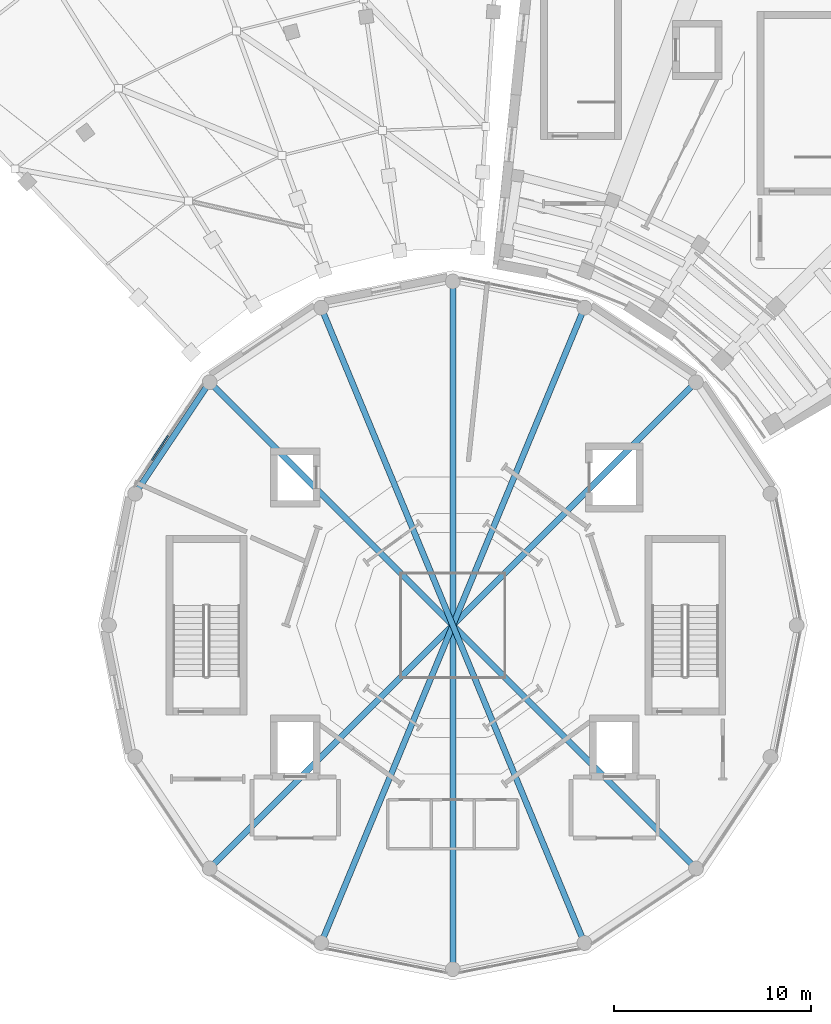
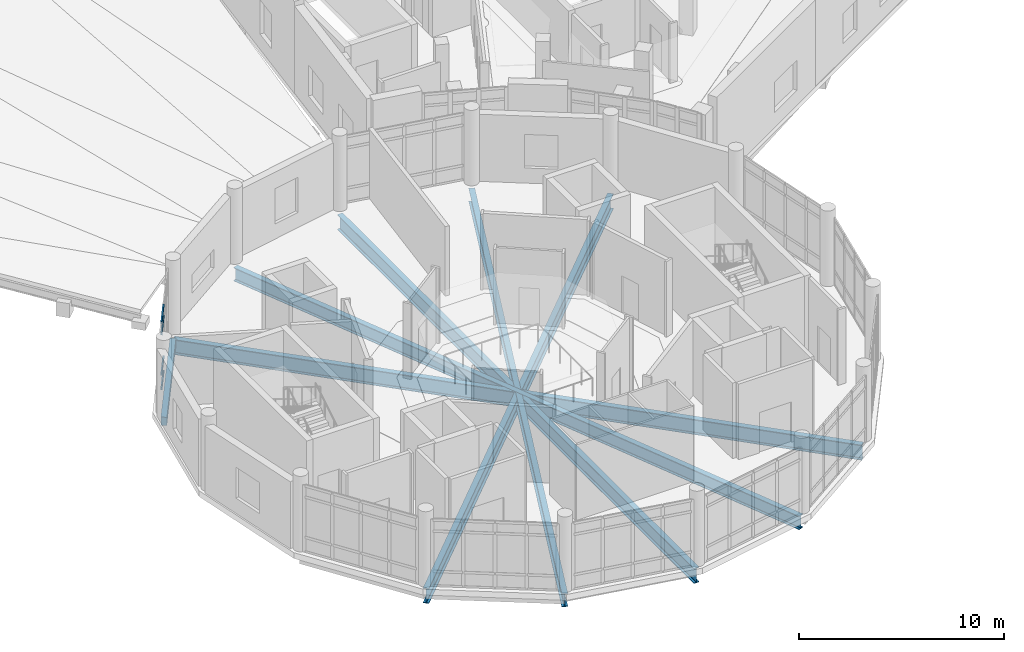
# One storey, part 7 of 27: 6 beams, 4 members, 1 element without a shape of its own.
"""IFC4 building model written with IfcOpenShell, lengths in metres."""

from ifc_helpers import new_model, si_unit, direction, frame, origin, origin_2d, place, context, subcontext, project, spatial, rectangle, i_section, extrude, material, material_profile, profile_set, type_object, element, aggregate, save


model = new_model("IFC4")

# Units and contexts
model_context = context("Model", 3, precision=1e-05, world=origin(), true_north=direction((0.0, 1.0)))
body_context = subcontext(model_context, "Body", "Model", "MODEL_VIEW")
ifc_project = project(units=[si_unit("LENGTHUNIT", "METRE"), si_unit("AREAUNIT", "SQUARE_METRE"), si_unit("VOLUMEUNIT", "CUBIC_METRE"), si_unit("PLANEANGLEUNIT", "RADIAN"), si_unit("MASSUNIT", "GRAM", prefix="KILO")], contexts=[model_context])

# Site, building, storey
site_placement = place(None, origin())
site = spatial("IfcSite", under=ifc_project, at=site_placement, CompositionType="ELEMENT")
building_placement = place(site_placement, origin())
building = spatial("IfcBuilding", under=site, at=building_placement, Name="Soyqirgoq Riverine Aquarium", CompositionType="ELEMENT")
storey_placement = place(building_placement, frame((0.0, 0.0, 19.800048828125)))
storey = spatial("IfcBuildingStorey", under=building, at=storey_placement, Name="L05", CompositionType="ELEMENT", Elevation=19.800048828125)

# Curtain wall, members
ifc_material_1 = material(Name="Anodised aluminium thermally broken triple low-E glazing", Category="aluminium")
curtain_wall_type = type_object("IfcCurtainWallType", Name="CW_DrumGallery_Unitised", PredefinedType="NOTDEFINED", material=ifc_material_1)
curtain_wall_placement = place(storey_placement, origin())
curtain_wall = element("IfcCurtainWall", 1, at=curtain_wall_placement, inside=storey, type_object=curtain_wall_type, Name="V1 L05 Curtain Wall 027", PredefinedType="NOTDEFINED")
ifc_material_2 = material(Name="Anodised aluminium 6063-T6", Category="aluminium")
ifc_material_profile_1 = material_profile(ifc_material_2, rectangle(XDim=0.074951171875, YDim=0.14990234375, at=origin_2d()), Name="ALU-T 75x150")
ifc_profile_set_1 = profile_set([ifc_material_profile_1], Name="Anodised aluminium 6063-T6")
member_type = type_object("IfcMemberType", Name="CWTransom_75x150", PredefinedType="USERDEFINED", material=ifc_profile_set_1)
member_1_placement = place(storey_placement, frame((41.547607421875, 66.61767578125, 0.037353515625), z_axis=(-0.555498052223, -0.831517837437, 0.0), x_axis=(0.831517837437, -0.555498052223, 0.0)))
member_1 = element("IfcMember", 2, at=member_1_placement, type_object=member_type, Name="CW-01 transom 3.1", ObjectType="TRANSOM", PredefinedType="USERDEFINED", context=body_context, shape_type="SweptSolid", body=[
    extrude(rectangle(XDim=0.074951171875, YDim=0.14990234375, at=origin_2d()), origin(), (0.0, 0.0, 1.0), 1.482421875),
])
member_2_placement = place(storey_placement, frame((41.547607421875, 66.61767578125, 0.89990234375), z_axis=(-0.555498052223, -0.831517837437, 0.0), x_axis=(0.831517837437, -0.555498052223, 0.0)))
member_2 = element("IfcMember", 3, at=member_2_placement, type_object=member_type, Name="CW-01 transom 3.2", ObjectType="TRANSOM", PredefinedType="USERDEFINED", context=body_context, shape_type="SweptSolid", body=[
    extrude(rectangle(XDim=0.074951171875, YDim=0.14990234375, at=origin_2d()), origin(), (0.0, 0.0, 1.0), 1.482421875),
])
member_3_placement = place(storey_placement, frame((41.547607421875, 66.61767578125, 3.300048828125), z_axis=(-0.555498052223, -0.831517837437, 0.0), x_axis=(0.831517837437, -0.555498052223, 0.0)))
member_3 = element("IfcMember", 4, at=member_3_placement, type_object=member_type, Name="CW-01 transom 3.3", ObjectType="TRANSOM", PredefinedType="USERDEFINED", context=body_context, shape_type="SweptSolid", body=[
    extrude(rectangle(XDim=0.074951171875, YDim=0.14990234375, at=origin_2d()), origin(), (0.0, 0.0, 1.0), 1.482421875),
])
member_4_placement = place(storey_placement, frame((41.547607421875, 66.61767578125, 3.96240234375), z_axis=(-0.555498052223, -0.831517837437, 0.0), x_axis=(0.831517837437, -0.555498052223, 0.0)))
member_4 = element("IfcMember", 5, at=member_4_placement, type_object=member_type, Name="CW-01 transom 3.4", ObjectType="TRANSOM", PredefinedType="USERDEFINED", context=body_context, shape_type="SweptSolid", body=[
    extrude(rectangle(XDim=0.074951171875, YDim=0.14990234375, at=origin_2d()), origin(), (0.0, 0.0, 1.0), 1.482421875),
])
aggregate(curtain_wall, [member_1, member_2, member_3, member_4])

# Beams
ifc_material_3 = material(Name="Concrete C40/50", Category="concrete")
ifc_material_profile_2 = material_profile(ifc_material_3, rectangle(XDim=0.300048828125, YDim=0.5, at=origin_2d()), Name="RC 300x500")
ifc_profile_set_2 = profile_set([ifc_material_profile_2], Name="Concrete C40/50")
beam_type_1 = type_object("IfcBeamType", Name="Spandrel_RC_300x500", PredefinedType="SPANDREL", material=ifc_profile_set_2)
beam_1_placement = place(storey_placement, frame((43.64990234375, 69.322509765625, -0.60009765625), z_axis=(-0.555557213186, -0.83147831173, 0.0), x_axis=(0.83147831173, -0.555557213186, 0.0)))
element("IfcBeam", 6, at=beam_1_placement, inside=storey, type_object=beam_type_1, Name="V1 L05 Drum Spandrel Beam 0127", PredefinedType="SPANDREL", context=body_context, shape_type="SweptSolid", body=[
    extrude(rectangle(XDim=0.300048828125, YDim=0.5, at=origin_2d()), origin(), (0.0, 0.0, 1.0), 6.768798828125),
])
ifc_material_4 = material(Name="Structural steel S355", Category="steel")
ifc_material_profile_3 = material_profile(ifc_material_4, i_section(OverallWidth=0.300048828125, OverallDepth=0.800048828125, WebThickness=0.017578125, FlangeThickness=0.032958984375, FilletRadius=0.030029296875, at=origin_2d()), Name="HEB 800")
ifc_profile_set_3 = profile_set([ifc_material_profile_3], Name="Structural steel S355")
beam_type_2 = type_object("IfcBeamType", Name="SteelGirder_HEB800", PredefinedType="BEAM", material=ifc_profile_set_3)
for number, where, z_axis, x_axis, name in (
    (7, (62.65869140625, 73.075439453125, -0.75), (-0.382684725633, -0.923878996821, 0.0), (0.923878996821, -0.382684725633, 0.0), "V1 L05 Servicing Deck Long-Span Girder 0122"),
    (8, (49.34130859375, 73.075439453125, -0.75), (0.382684725633, -0.923878996821, 0.0), (0.923878996821, 0.382684725633, 0.0), "V1 L05 Servicing Deck Long-Span Girder 0126"),
):
    element("IfcBeam", number, at=place(storey_placement, frame(where, z_axis=z_axis, x_axis=x_axis)), inside=storey, type_object=beam_type_2, Name=name, PredefinedType="BEAM", context=body_context, shape_type="SweptSolid", body=[
        extrude(i_section(OverallWidth=0.300048828125, OverallDepth=0.800048828125, WebThickness=0.017578125, FlangeThickness=0.032958984375, FilletRadius=0.030029296875, at=origin_2d()), origin(), (0.0, 0.0, 1.0), 34.7998046875),
    ])
ifc_material_5 = material(Name="Structural steel S355", Category="steel")
ifc_material_profile_4 = material_profile(ifc_material_5, i_section(OverallWidth=0.300048828125, OverallDepth=0.89990234375, WebThickness=0.0185546875, FlangeThickness=0.034912109375, FilletRadius=0.030029296875, at=origin_2d()), Name="HEB 900")
ifc_profile_set_4 = profile_set([ifc_material_profile_4], Name="Structural steel S355")
beam_type_3 = type_object("IfcBeamType", Name="SteelGirder_HEB900", PredefinedType="BEAM", material=ifc_profile_set_4)
beam_2_placement = place(storey_placement, frame((68.3037109375, 69.3037109375, -0.800048828125), z_axis=(-0.707106781187, -0.707106781187, 0.0), x_axis=(0.707106781187, -0.707106781187, 0.0)))
element("IfcBeam", 9, at=beam_2_placement, inside=storey, type_object=beam_type_3, Name="V1 L05 Servicing Deck Long-Span Girder 0120", PredefinedType="BEAM", context=body_context, shape_type="SweptSolid", body=[
    extrude(i_section(OverallWidth=0.300048828125, OverallDepth=0.89990234375, WebThickness=0.0185546875, FlangeThickness=0.034912109375, FilletRadius=0.030029296875, at=origin_2d()), origin(), (0.0, 0.0, 1.0), 34.800048828125),
])
beam_3_placement = place(storey_placement, frame((56.0, 74.39990234375, -0.800048828125), z_axis=(0.0, -1.0, 0.0), x_axis=(1.0, 0.0, 0.0)))
element("IfcBeam", 10, at=beam_3_placement, inside=storey, type_object=beam_type_3, Name="V1 L05 Servicing Deck Long-Span Girder 0124", PredefinedType="BEAM", context=body_context, shape_type="SweptSolid", body=[
    extrude(i_section(OverallWidth=0.300048828125, OverallDepth=0.89990234375, WebThickness=0.0185546875, FlangeThickness=0.034912109375, FilletRadius=0.030029296875, at=origin_2d()), origin(), (0.0, 0.0, 1.0), 34.7998046875),
])
beam_4_placement = place(storey_placement, frame((43.6962890625, 69.3037109375, -0.800048828125), z_axis=(0.707106781187, -0.707106781187, 0.0), x_axis=(0.707106781187, 0.707106781187, 0.0)))
element("IfcBeam", 11, at=beam_4_placement, inside=storey, type_object=beam_type_3, Name="V1 L05 Servicing Deck Long-Span Girder 0128", PredefinedType="BEAM", context=body_context, shape_type="SweptSolid", body=[
    extrude(i_section(OverallWidth=0.300048828125, OverallDepth=0.89990234375, WebThickness=0.0185546875, FlangeThickness=0.034912109375, FilletRadius=0.030029296875, at=origin_2d()), origin(), (0.0, 0.0, 1.0), 34.800048828125),
])

save(model, "model.ifc")
